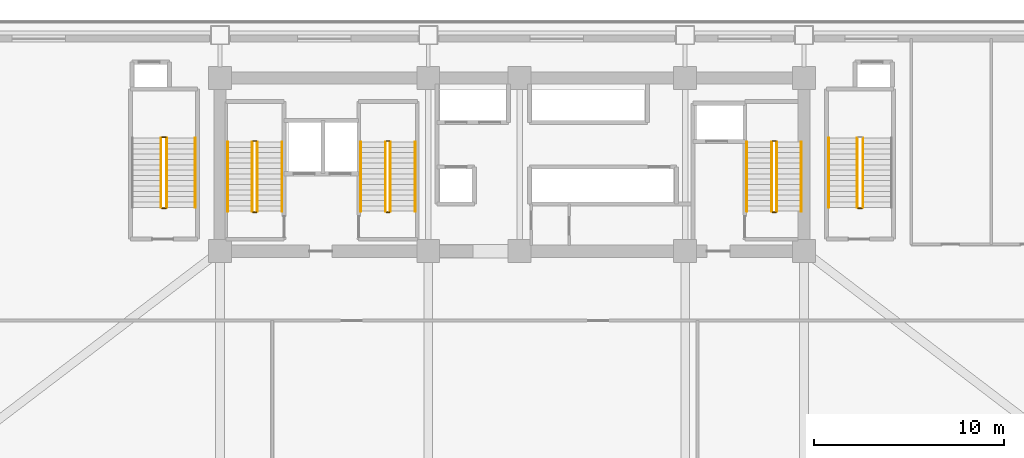
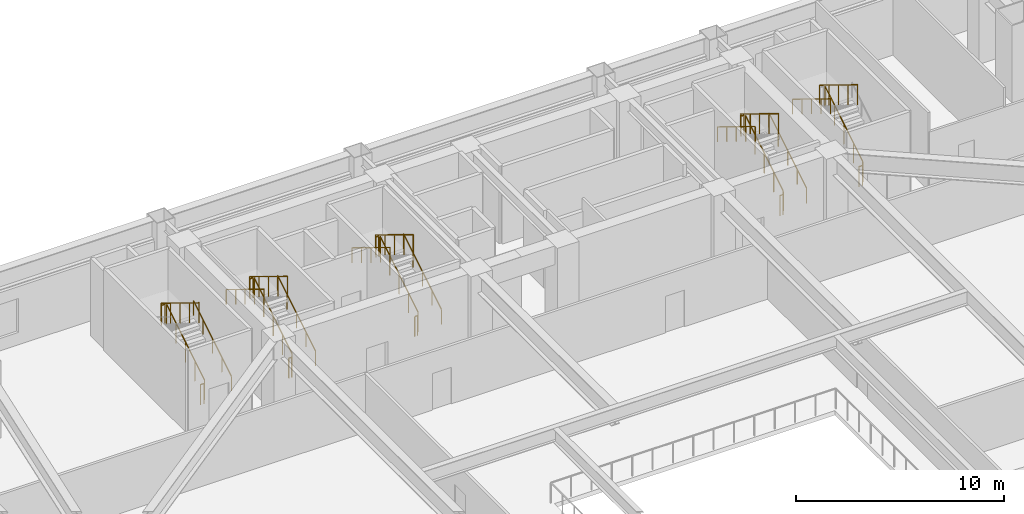
# One storey, part 12 of 14: 27 railings.
"""IFC4 building model written with IfcOpenShell, lengths in metres."""

from ifc_helpers import new_model, si_unit, direction, frame, origin, origin_2d, place, context, subcontext, project, spatial, rectangle, extrude, material, type_object, element, save


model = new_model("IFC4")

# Units and contexts
model_context = context("Model", 3, precision=1e-05, world=origin(), true_north=direction((0.0, 1.0)))
body_context = subcontext(model_context, "Body", "Model", "MODEL_VIEW")
ifc_project = project(units=[si_unit("LENGTHUNIT", "METRE"), si_unit("AREAUNIT", "SQUARE_METRE"), si_unit("VOLUMEUNIT", "CUBIC_METRE"), si_unit("PLANEANGLEUNIT", "RADIAN"), si_unit("MASSUNIT", "GRAM", prefix="KILO")], contexts=[model_context])

# Site, building, storey
site_placement = place(None, origin())
site = spatial("IfcSite", under=ifc_project, at=site_placement, CompositionType="ELEMENT")
building_placement = place(site_placement, origin())
building = spatial("IfcBuilding", under=site, at=building_placement, Name="Giltprow Tower", CompositionType="ELEMENT")
storey_placement = place(building_placement, frame((0.0, 0.0, 10.39990234375)))
storey = spatial("IfcBuildingStorey", under=building, at=storey_placement, Name="L03", CompositionType="ELEMENT", Elevation=10.39990234375)

# Railings
ifc_material = material(Name="Anodized bronze", Category="metal")
railing_type_1 = type_object("IfcRailingType", Name="RAIL-STAIR-GUARD-1200", PredefinedType="GUARDRAIL", material=ifc_material)
railing_1_placement = place(storey_placement, frame((21.81005859375, 39.550048828125, 0.171630859375)))
element("IfcRailing", 1, at=railing_1_placement, inside=storey, type_object=railing_type_1, Name="L03 ST-1 stair guard 1", PredefinedType="GUARDRAIL", context=body_context, shape_type="SweptSolid", body=[
    extrude(rectangle(XDim=0.048095703125, YDim=0.048095703125, at=origin_2d()), frame((0.0, 0.0, 1.17578125), z_axis=(0.0, 0.852850264322, 0.5221555579), x_axis=(-1.0, 0.0, 0.0)), (0.0, 0.0, 1.0), 4.267822265625),
    extrude(rectangle(XDim=0.0419921875, YDim=0.0419921875, at=origin_2d()), origin(), (0.0, 0.0, 1.0), 1.15185546875),
    extrude(rectangle(XDim=0.0419921875, YDim=0.0419921875, at=origin_2d()), frame((0.0, 0.909912109375, 0.55712890625)), (0.0, 0.0, 1.0), 1.15185546875),
    extrude(rectangle(XDim=0.0419921875, YDim=0.0419921875, at=origin_2d()), frame((0.0, 1.81982421875, 1.1142578125)), (0.0, 0.0, 1.0), 1.15185546875),
    extrude(rectangle(XDim=0.0419921875, YDim=0.0419921875, at=origin_2d()), frame((0.0, 2.72998046875, 1.67138671875)), (0.0, 0.0, 1.0), 1.15185546875),
    extrude(rectangle(XDim=0.0419921875, YDim=0.0419921875, at=origin_2d()), frame((0.0, 3.639892578125, 2.228515625)), (0.0, 0.0, 1.0), 1.15185546875),
])
railing_2_placement = place(storey_placement, frame((21.760009765625, 43.239990234375, 2.400146484375)))
element("IfcRailing", 2, at=railing_2_placement, inside=storey, type_object=railing_type_1, Name="L03 ST-1 stair guard 2", PredefinedType="GUARDRAIL", context=body_context, shape_type="SweptSolid", body=[
    extrude(rectangle(XDim=0.048095703125, YDim=0.048095703125, at=origin_2d()), frame((0.0, 0.0, 1.17578125), z_axis=(-1.0, 0.0, 0.0), x_axis=(0.0, -1.0, 0.0)), (0.0, 0.0, 1.0), 0.159912109375),
    extrude(rectangle(XDim=0.0419921875, YDim=0.0419921875, at=origin_2d()), origin(), (0.0, 0.0, 1.0), 1.15185546875),
    extrude(rectangle(XDim=0.0419921875, YDim=0.0419921875, at=origin_2d()), frame((-0.159912109375, 0.0, 0.0)), (0.0, 0.0, 1.0), 1.15185546875),
])
railing_3_placement = place(storey_placement, frame((21.550048828125, 43.18994140625, 2.571533203125)))
element("IfcRailing", 3, at=railing_3_placement, inside=storey, type_object=railing_type_1, Name="L03 ST-1 stair guard 3", PredefinedType="GUARDRAIL", context=body_context, shape_type="SweptSolid", body=[
    extrude(rectangle(XDim=0.048095703125, YDim=0.048095703125, at=origin_2d()), frame((0.0, 0.0, 1.17578125), z_axis=(0.0, -0.852850264322, 0.5221555579), x_axis=(1.0, 0.0, 0.0)), (0.0, 0.0, 1.0), 4.267822265625),
    extrude(rectangle(XDim=0.0419921875, YDim=0.0419921875, at=origin_2d()), origin(), (0.0, 0.0, 1.0), 1.15185546875),
    extrude(rectangle(XDim=0.0419921875, YDim=0.0419921875, at=origin_2d()), frame((0.0, -0.909912109375, 0.55712890625)), (0.0, 0.0, 1.0), 1.15185546875),
    extrude(rectangle(XDim=0.0419921875, YDim=0.0419921875, at=origin_2d()), frame((0.0, -1.81982421875, 1.1142578125)), (0.0, 0.0, 1.0), 1.15185546875),
    extrude(rectangle(XDim=0.0419921875, YDim=0.0419921875, at=origin_2d()), frame((0.0, -2.72998046875, 1.67138671875)), (0.0, 0.0, 1.0), 1.15185546875),
    extrude(rectangle(XDim=0.0419921875, YDim=0.0419921875, at=origin_2d()), frame((0.0, -3.639892578125, 2.228515625)), (0.0, 0.0, 1.0), 1.15185546875),
])
railing_4_placement = place(storey_placement, frame((21.760009765625, 39.5, 0.0)))
element("IfcRailing", 4, at=railing_4_placement, inside=storey, type_object=railing_type_1, Name="L03 ST-1 stair guard 4", PredefinedType="GUARDRAIL", context=body_context, shape_type="SweptSolid", body=[
    extrude(rectangle(XDim=0.048095703125, YDim=0.048095703125, at=origin_2d()), frame((0.0, 0.0, 1.17578125), z_axis=(-1.0, 0.0, 0.0), x_axis=(0.0, -1.0, 0.0)), (0.0, 0.0, 1.0), 0.159912109375),
    extrude(rectangle(XDim=0.0419921875, YDim=0.0419921875, at=origin_2d()), origin(), (0.0, 0.0, 1.0), 1.15185546875),
    extrude(rectangle(XDim=0.0419921875, YDim=0.0419921875, at=origin_2d()), frame((-0.159912109375, 0.0, 0.0)), (0.0, 0.0, 1.0), 1.15185546875),
])
railing_5_placement = place(storey_placement, frame((28.81005859375, 39.550048828125, 0.171630859375)))
element("IfcRailing", 5, at=railing_5_placement, inside=storey, type_object=railing_type_1, Name="L03 ST-2 stair guard 1", PredefinedType="GUARDRAIL", context=body_context, shape_type="SweptSolid", body=[
    extrude(rectangle(XDim=0.048095703125, YDim=0.048095703125, at=origin_2d()), frame((0.0, 0.0, 1.17578125), z_axis=(0.0, 0.852850264322, 0.5221555579), x_axis=(-1.0, 0.0, 0.0)), (0.0, 0.0, 1.0), 4.267822265625),
    extrude(rectangle(XDim=0.0419921875, YDim=0.0419921875, at=origin_2d()), origin(), (0.0, 0.0, 1.0), 1.15185546875),
    extrude(rectangle(XDim=0.0419921875, YDim=0.0419921875, at=origin_2d()), frame((0.0, 0.909912109375, 0.55712890625)), (0.0, 0.0, 1.0), 1.15185546875),
    extrude(rectangle(XDim=0.0419921875, YDim=0.0419921875, at=origin_2d()), frame((0.0, 1.81982421875, 1.1142578125)), (0.0, 0.0, 1.0), 1.15185546875),
    extrude(rectangle(XDim=0.0419921875, YDim=0.0419921875, at=origin_2d()), frame((0.0, 2.72998046875, 1.67138671875)), (0.0, 0.0, 1.0), 1.15185546875),
    extrude(rectangle(XDim=0.0419921875, YDim=0.0419921875, at=origin_2d()), frame((0.0, 3.639892578125, 2.228515625)), (0.0, 0.0, 1.0), 1.15185546875),
])
railing_6_placement = place(storey_placement, frame((28.760009765625, 43.239990234375, 2.400146484375)))
element("IfcRailing", 6, at=railing_6_placement, inside=storey, type_object=railing_type_1, Name="L03 ST-2 stair guard 2", PredefinedType="GUARDRAIL", context=body_context, shape_type="SweptSolid", body=[
    extrude(rectangle(XDim=0.048095703125, YDim=0.048095703125, at=origin_2d()), frame((0.0, 0.0, 1.17578125), z_axis=(-1.0, 0.0, 0.0), x_axis=(0.0, -1.0, 0.0)), (0.0, 0.0, 1.0), 0.159912109375),
    extrude(rectangle(XDim=0.0419921875, YDim=0.0419921875, at=origin_2d()), origin(), (0.0, 0.0, 1.0), 1.15185546875),
    extrude(rectangle(XDim=0.0419921875, YDim=0.0419921875, at=origin_2d()), frame((-0.159912109375, 0.0, 0.0)), (0.0, 0.0, 1.0), 1.15185546875),
])
railing_7_placement = place(storey_placement, frame((28.550048828125, 43.18994140625, 2.571533203125)))
element("IfcRailing", 7, at=railing_7_placement, inside=storey, type_object=railing_type_1, Name="L03 ST-2 stair guard 3", PredefinedType="GUARDRAIL", context=body_context, shape_type="SweptSolid", body=[
    extrude(rectangle(XDim=0.048095703125, YDim=0.048095703125, at=origin_2d()), frame((0.0, 0.0, 1.17578125), z_axis=(0.0, -0.852850264322, 0.5221555579), x_axis=(1.0, 0.0, 0.0)), (0.0, 0.0, 1.0), 4.267822265625),
    extrude(rectangle(XDim=0.0419921875, YDim=0.0419921875, at=origin_2d()), origin(), (0.0, 0.0, 1.0), 1.15185546875),
    extrude(rectangle(XDim=0.0419921875, YDim=0.0419921875, at=origin_2d()), frame((0.0, -0.909912109375, 0.55712890625)), (0.0, 0.0, 1.0), 1.15185546875),
    extrude(rectangle(XDim=0.0419921875, YDim=0.0419921875, at=origin_2d()), frame((0.0, -1.81982421875, 1.1142578125)), (0.0, 0.0, 1.0), 1.15185546875),
    extrude(rectangle(XDim=0.0419921875, YDim=0.0419921875, at=origin_2d()), frame((0.0, -2.72998046875, 1.67138671875)), (0.0, 0.0, 1.0), 1.15185546875),
    extrude(rectangle(XDim=0.0419921875, YDim=0.0419921875, at=origin_2d()), frame((0.0, -3.639892578125, 2.228515625)), (0.0, 0.0, 1.0), 1.15185546875),
])
railing_8_placement = place(storey_placement, frame((28.760009765625, 39.5, 0.0)))
element("IfcRailing", 8, at=railing_8_placement, inside=storey, type_object=railing_type_1, Name="L03 ST-2 stair guard 4", PredefinedType="GUARDRAIL", context=body_context, shape_type="SweptSolid", body=[
    extrude(rectangle(XDim=0.048095703125, YDim=0.048095703125, at=origin_2d()), frame((0.0, 0.0, 1.17578125), z_axis=(-1.0, 0.0, 0.0), x_axis=(0.0, -1.0, 0.0)), (0.0, 0.0, 1.0), 0.159912109375),
    extrude(rectangle(XDim=0.0419921875, YDim=0.0419921875, at=origin_2d()), origin(), (0.0, 0.0, 1.0), 1.15185546875),
    extrude(rectangle(XDim=0.0419921875, YDim=0.0419921875, at=origin_2d()), frame((-0.159912109375, 0.0, 0.0)), (0.0, 0.0, 1.0), 1.15185546875),
])
railing_9_placement = place(storey_placement, frame((49.110107421875, 39.550048828125, 0.171630859375)))
element("IfcRailing", 9, at=railing_9_placement, inside=storey, type_object=railing_type_1, Name="L03 ST-3 stair guard 1", PredefinedType="GUARDRAIL", context=body_context, shape_type="SweptSolid", body=[
    extrude(rectangle(XDim=0.048095703125, YDim=0.048095703125, at=origin_2d()), frame((0.0, 0.0, 1.17578125), z_axis=(0.0, 0.852850264322, 0.5221555579), x_axis=(-1.0, 0.0, 0.0)), (0.0, 0.0, 1.0), 4.267822265625),
    extrude(rectangle(XDim=0.0419921875, YDim=0.0419921875, at=origin_2d()), origin(), (0.0, 0.0, 1.0), 1.15185546875),
    extrude(rectangle(XDim=0.0419921875, YDim=0.0419921875, at=origin_2d()), frame((0.0, 0.909912109375, 0.55712890625)), (0.0, 0.0, 1.0), 1.15185546875),
    extrude(rectangle(XDim=0.0419921875, YDim=0.0419921875, at=origin_2d()), frame((0.0, 1.81982421875, 1.1142578125)), (0.0, 0.0, 1.0), 1.15185546875),
    extrude(rectangle(XDim=0.0419921875, YDim=0.0419921875, at=origin_2d()), frame((0.0, 2.72998046875, 1.67138671875)), (0.0, 0.0, 1.0), 1.15185546875),
    extrude(rectangle(XDim=0.0419921875, YDim=0.0419921875, at=origin_2d()), frame((0.0, 3.639892578125, 2.228515625)), (0.0, 0.0, 1.0), 1.15185546875),
])
railing_10_placement = place(storey_placement, frame((49.06005859375, 43.239990234375, 2.400146484375)))
element("IfcRailing", 10, at=railing_10_placement, inside=storey, type_object=railing_type_1, Name="L03 ST-3 stair guard 2", PredefinedType="GUARDRAIL", context=body_context, shape_type="SweptSolid", body=[
    extrude(rectangle(XDim=0.048095703125, YDim=0.048095703125, at=origin_2d()), frame((0.0, 0.0, 1.17578125), z_axis=(-1.0, 0.0, 0.0), x_axis=(0.0, -1.0, 0.0)), (0.0, 0.0, 1.0), 0.16015625),
    extrude(rectangle(XDim=0.0419921875, YDim=0.0419921875, at=origin_2d()), origin(), (0.0, 0.0, 1.0), 1.15185546875),
    extrude(rectangle(XDim=0.0419921875, YDim=0.0419921875, at=origin_2d()), frame((-0.16015625, 0.0, 0.0)), (0.0, 0.0, 1.0), 1.15185546875),
])
railing_11_placement = place(storey_placement, frame((48.85009765625, 43.18994140625, 2.571533203125)))
element("IfcRailing", 11, at=railing_11_placement, inside=storey, type_object=railing_type_1, Name="L03 ST-3 stair guard 3", PredefinedType="GUARDRAIL", context=body_context, shape_type="SweptSolid", body=[
    extrude(rectangle(XDim=0.048095703125, YDim=0.048095703125, at=origin_2d()), frame((0.0, 0.0, 1.17578125), z_axis=(0.0, -0.852850264322, 0.5221555579), x_axis=(1.0, 0.0, 0.0)), (0.0, 0.0, 1.0), 4.267822265625),
    extrude(rectangle(XDim=0.0419921875, YDim=0.0419921875, at=origin_2d()), origin(), (0.0, 0.0, 1.0), 1.15185546875),
    extrude(rectangle(XDim=0.0419921875, YDim=0.0419921875, at=origin_2d()), frame((0.0, -0.909912109375, 0.55712890625)), (0.0, 0.0, 1.0), 1.15185546875),
    extrude(rectangle(XDim=0.0419921875, YDim=0.0419921875, at=origin_2d()), frame((0.0, -1.81982421875, 1.1142578125)), (0.0, 0.0, 1.0), 1.15185546875),
    extrude(rectangle(XDim=0.0419921875, YDim=0.0419921875, at=origin_2d()), frame((0.0, -2.72998046875, 1.67138671875)), (0.0, 0.0, 1.0), 1.15185546875),
    extrude(rectangle(XDim=0.0419921875, YDim=0.0419921875, at=origin_2d()), frame((0.0, -3.639892578125, 2.228515625)), (0.0, 0.0, 1.0), 1.15185546875),
])
railing_12_placement = place(storey_placement, frame((49.06005859375, 39.5, 0.0)))
element("IfcRailing", 12, at=railing_12_placement, inside=storey, type_object=railing_type_1, Name="L03 ST-3 stair guard 4", PredefinedType="GUARDRAIL", context=body_context, shape_type="SweptSolid", body=[
    extrude(rectangle(XDim=0.048095703125, YDim=0.048095703125, at=origin_2d()), frame((0.0, 0.0, 1.17578125), z_axis=(-1.0, 0.0, 0.0), x_axis=(0.0, -1.0, 0.0)), (0.0, 0.0, 1.0), 0.16015625),
    extrude(rectangle(XDim=0.0419921875, YDim=0.0419921875, at=origin_2d()), origin(), (0.0, 0.0, 1.0), 1.15185546875),
    extrude(rectangle(XDim=0.0419921875, YDim=0.0419921875, at=origin_2d()), frame((-0.16015625, 0.0, 0.0)), (0.0, 0.0, 1.0), 1.15185546875),
])
railing_13_placement = place(storey_placement, frame((17.050048828125, 39.75, 0.171630859375)))
element("IfcRailing", 13, at=railing_13_placement, inside=storey, type_object=railing_type_1, Name="L03 ST-P1 stair guard 1", PredefinedType="GUARDRAIL", context=body_context, shape_type="SweptSolid", body=[
    extrude(rectangle(XDim=0.048095703125, YDim=0.048095703125, at=origin_2d()), frame((0.0, 0.0, 1.17578125), z_axis=(0.0, 0.852850264322, 0.5221555579), x_axis=(-1.0, 0.0, 0.0)), (0.0, 0.0, 1.0), 4.267822265625),
    extrude(rectangle(XDim=0.0419921875, YDim=0.0419921875, at=origin_2d()), origin(), (0.0, 0.0, 1.0), 1.15185546875),
    extrude(rectangle(XDim=0.0419921875, YDim=0.0419921875, at=origin_2d()), frame((0.0, 0.909912109375, 0.55712890625)), (0.0, 0.0, 1.0), 1.15185546875),
    extrude(rectangle(XDim=0.0419921875, YDim=0.0419921875, at=origin_2d()), frame((0.0, 1.81982421875, 1.1142578125)), (0.0, 0.0, 1.0), 1.15185546875),
    extrude(rectangle(XDim=0.0419921875, YDim=0.0419921875, at=origin_2d()), frame((0.0, 2.72998046875, 1.67138671875)), (0.0, 0.0, 1.0), 1.15185546875),
    extrude(rectangle(XDim=0.0419921875, YDim=0.0419921875, at=origin_2d()), frame((0.0, 3.639892578125, 2.228515625)), (0.0, 0.0, 1.0), 1.15185546875),
])
railing_14_placement = place(storey_placement, frame((17.0, 43.43994140625, 2.400146484375)))
element("IfcRailing", 14, at=railing_14_placement, inside=storey, type_object=railing_type_1, Name="L03 ST-P1 stair guard 2", PredefinedType="GUARDRAIL", context=body_context, shape_type="SweptSolid", body=[
    extrude(rectangle(XDim=0.048095703125, YDim=0.048095703125, at=origin_2d()), frame((0.0, 0.0, 1.17578125), z_axis=(-1.0, 0.0, 0.0), x_axis=(0.0, -1.0, 0.0)), (0.0, 0.0, 1.0), 0.199951171875),
    extrude(rectangle(XDim=0.0419921875, YDim=0.0419921875, at=origin_2d()), origin(), (0.0, 0.0, 1.0), 1.15185546875),
    extrude(rectangle(XDim=0.0419921875, YDim=0.0419921875, at=origin_2d()), frame((-0.199951171875, 0.0, 0.0)), (0.0, 0.0, 1.0), 1.15185546875),
])
railing_15_placement = place(storey_placement, frame((16.75, 43.389892578125, 2.571533203125)))
element("IfcRailing", 15, at=railing_15_placement, inside=storey, type_object=railing_type_1, Name="L03 ST-P1 stair guard 3", PredefinedType="GUARDRAIL", context=body_context, shape_type="SweptSolid", body=[
    extrude(rectangle(XDim=0.048095703125, YDim=0.048095703125, at=origin_2d()), frame((0.0, 0.0, 1.17578125), z_axis=(0.0, -0.852850264322, 0.5221555579), x_axis=(1.0, 0.0, 0.0)), (0.0, 0.0, 1.0), 4.267822265625),
    extrude(rectangle(XDim=0.0419921875, YDim=0.0419921875, at=origin_2d()), origin(), (0.0, 0.0, 1.0), 1.15185546875),
    extrude(rectangle(XDim=0.0419921875, YDim=0.0419921875, at=origin_2d()), frame((0.0, -0.909912109375, 0.55712890625)), (0.0, 0.0, 1.0), 1.15185546875),
    extrude(rectangle(XDim=0.0419921875, YDim=0.0419921875, at=origin_2d()), frame((0.0, -1.81982421875, 1.1142578125)), (0.0, 0.0, 1.0), 1.15185546875),
    extrude(rectangle(XDim=0.0419921875, YDim=0.0419921875, at=origin_2d()), frame((0.0, -2.72998046875, 1.67138671875)), (0.0, 0.0, 1.0), 1.15185546875),
    extrude(rectangle(XDim=0.0419921875, YDim=0.0419921875, at=origin_2d()), frame((0.0, -3.639892578125, 2.228515625)), (0.0, 0.0, 1.0), 1.15185546875),
])
railing_16_placement = place(storey_placement, frame((17.0, 39.699951171875, 0.0)))
element("IfcRailing", 16, at=railing_16_placement, inside=storey, type_object=railing_type_1, Name="L03 ST-P1 stair guard 4", PredefinedType="GUARDRAIL", context=body_context, shape_type="SweptSolid", body=[
    extrude(rectangle(XDim=0.048095703125, YDim=0.048095703125, at=origin_2d()), frame((0.0, 0.0, 1.17578125), z_axis=(-1.0, 0.0, 0.0), x_axis=(0.0, -1.0, 0.0)), (0.0, 0.0, 1.0), 0.199951171875),
    extrude(rectangle(XDim=0.0419921875, YDim=0.0419921875, at=origin_2d()), origin(), (0.0, 0.0, 1.0), 1.15185546875),
    extrude(rectangle(XDim=0.0419921875, YDim=0.0419921875, at=origin_2d()), frame((-0.199951171875, 0.0, 0.0)), (0.0, 0.0, 1.0), 1.15185546875),
])
railing_17_placement = place(storey_placement, frame((53.64990234375, 39.75, 0.171630859375)))
element("IfcRailing", 17, at=railing_17_placement, inside=storey, type_object=railing_type_1, Name="L03 ST-P2 stair guard 1", PredefinedType="GUARDRAIL", context=body_context, shape_type="SweptSolid", body=[
    extrude(rectangle(XDim=0.048095703125, YDim=0.048095703125, at=origin_2d()), frame((0.0, 0.0, 1.17578125), z_axis=(0.0, 0.852850264322, 0.5221555579), x_axis=(-1.0, 0.0, 0.0)), (0.0, 0.0, 1.0), 4.267822265625),
    extrude(rectangle(XDim=0.0419921875, YDim=0.0419921875, at=origin_2d()), origin(), (0.0, 0.0, 1.0), 1.15185546875),
    extrude(rectangle(XDim=0.0419921875, YDim=0.0419921875, at=origin_2d()), frame((0.0, 0.909912109375, 0.55712890625)), (0.0, 0.0, 1.0), 1.15185546875),
    extrude(rectangle(XDim=0.0419921875, YDim=0.0419921875, at=origin_2d()), frame((0.0, 1.81982421875, 1.1142578125)), (0.0, 0.0, 1.0), 1.15185546875),
    extrude(rectangle(XDim=0.0419921875, YDim=0.0419921875, at=origin_2d()), frame((0.0, 2.72998046875, 1.67138671875)), (0.0, 0.0, 1.0), 1.15185546875),
    extrude(rectangle(XDim=0.0419921875, YDim=0.0419921875, at=origin_2d()), frame((0.0, 3.639892578125, 2.228515625)), (0.0, 0.0, 1.0), 1.15185546875),
])
railing_18_placement = place(storey_placement, frame((53.35009765625, 43.389892578125, 2.571533203125)))
element("IfcRailing", 18, at=railing_18_placement, inside=storey, type_object=railing_type_1, Name="L03 ST-P2 stair guard 3", PredefinedType="GUARDRAIL", context=body_context, shape_type="SweptSolid", body=[
    extrude(rectangle(XDim=0.048095703125, YDim=0.048095703125, at=origin_2d()), frame((0.0, 0.0, 1.17578125), z_axis=(0.0, -0.852850264322, 0.5221555579), x_axis=(1.0, 0.0, 0.0)), (0.0, 0.0, 1.0), 4.267822265625),
    extrude(rectangle(XDim=0.0419921875, YDim=0.0419921875, at=origin_2d()), origin(), (0.0, 0.0, 1.0), 1.15185546875),
    extrude(rectangle(XDim=0.0419921875, YDim=0.0419921875, at=origin_2d()), frame((0.0, -0.909912109375, 0.55712890625)), (0.0, 0.0, 1.0), 1.15185546875),
    extrude(rectangle(XDim=0.0419921875, YDim=0.0419921875, at=origin_2d()), frame((0.0, -1.81982421875, 1.1142578125)), (0.0, 0.0, 1.0), 1.15185546875),
    extrude(rectangle(XDim=0.0419921875, YDim=0.0419921875, at=origin_2d()), frame((0.0, -2.72998046875, 1.67138671875)), (0.0, 0.0, 1.0), 1.15185546875),
    extrude(rectangle(XDim=0.0419921875, YDim=0.0419921875, at=origin_2d()), frame((0.0, -3.639892578125, 2.228515625)), (0.0, 0.0, 1.0), 1.15185546875),
])
railing_19_placement = place(storey_placement, frame((53.60009765625, 39.699951171875, 0.0)))
element("IfcRailing", 19, at=railing_19_placement, inside=storey, type_object=railing_type_1, Name="L03 ST-P2 stair guard 4", PredefinedType="GUARDRAIL", context=body_context, shape_type="SweptSolid", body=[
    extrude(rectangle(XDim=0.048095703125, YDim=0.048095703125, at=origin_2d()), frame((0.0, 0.0, 1.17578125), z_axis=(-1.0, 0.0, 0.0), x_axis=(0.0, -1.0, 0.0)), (0.0, 0.0, 1.0), 0.2001953125),
    extrude(rectangle(XDim=0.0419921875, YDim=0.0419921875, at=origin_2d()), origin(), (0.0, 0.0, 1.0), 1.15185546875),
    extrude(rectangle(XDim=0.0419921875, YDim=0.0419921875, at=origin_2d()), frame((-0.2001953125, 0.0, 0.0)), (0.0, 0.0, 1.0), 1.15185546875),
])
railing_type_2 = type_object("IfcRailingType", Name="RAIL-STAIR-HAND-900", PredefinedType="HANDRAIL", material=ifc_material)
railing_20_placement = place(storey_placement, frame((23.110107421875, 39.550048828125, 0.171630859375)))
element("IfcRailing", 20, at=railing_20_placement, inside=storey, type_object=railing_type_2, Name="L03 ST-1 stair handrail 1", PredefinedType="HANDRAIL", context=body_context, shape_type="SweptSolid", body=[
    extrude(rectangle(XDim=0.048095703125, YDim=0.048095703125, at=origin_2d()), frame((0.0, 0.0, 0.8759765625), z_axis=(0.0, 0.852850264322, 0.5221555579), x_axis=(-1.0, 0.0, 0.0)), (0.0, 0.0, 1.0), 4.267822265625),
    extrude(rectangle(XDim=0.0419921875, YDim=0.0419921875, at=origin_2d()), origin(), (0.0, 0.0, 1.0), 0.851806640625),
    extrude(rectangle(XDim=0.0419921875, YDim=0.0419921875, at=origin_2d()), frame((0.0, 0.909912109375, 0.55712890625)), (0.0, 0.0, 1.0), 0.851806640625),
    extrude(rectangle(XDim=0.0419921875, YDim=0.0419921875, at=origin_2d()), frame((0.0, 1.81982421875, 1.1142578125)), (0.0, 0.0, 1.0), 0.851806640625),
    extrude(rectangle(XDim=0.0419921875, YDim=0.0419921875, at=origin_2d()), frame((0.0, 2.72998046875, 1.67138671875)), (0.0, 0.0, 1.0), 0.851806640625),
    extrude(rectangle(XDim=0.0419921875, YDim=0.0419921875, at=origin_2d()), frame((0.0, 3.639892578125, 2.228515625)), (0.0, 0.0, 1.0), 0.851806640625),
])
railing_21_placement = place(storey_placement, frame((20.25, 43.18994140625, 2.571533203125)))
element("IfcRailing", 21, at=railing_21_placement, inside=storey, type_object=railing_type_2, Name="L03 ST-1 stair handrail 2", PredefinedType="HANDRAIL", context=body_context, shape_type="SweptSolid", body=[
    extrude(rectangle(XDim=0.048095703125, YDim=0.048095703125, at=origin_2d()), frame((0.0, 0.0, 0.8759765625), z_axis=(0.0, -0.852850264322, 0.5221555579), x_axis=(1.0, 0.0, 0.0)), (0.0, 0.0, 1.0), 4.267822265625),
    extrude(rectangle(XDim=0.0419921875, YDim=0.0419921875, at=origin_2d()), origin(), (0.0, 0.0, 1.0), 0.851806640625),
    extrude(rectangle(XDim=0.0419921875, YDim=0.0419921875, at=origin_2d()), frame((0.0, -0.909912109375, 0.55712890625)), (0.0, 0.0, 1.0), 0.851806640625),
    extrude(rectangle(XDim=0.0419921875, YDim=0.0419921875, at=origin_2d()), frame((0.0, -1.81982421875, 1.1142578125)), (0.0, 0.0, 1.0), 0.851806640625),
    extrude(rectangle(XDim=0.0419921875, YDim=0.0419921875, at=origin_2d()), frame((0.0, -2.72998046875, 1.67138671875)), (0.0, 0.0, 1.0), 0.851806640625),
    extrude(rectangle(XDim=0.0419921875, YDim=0.0419921875, at=origin_2d()), frame((0.0, -3.639892578125, 2.228515625)), (0.0, 0.0, 1.0), 0.851806640625),
])
railing_22_placement = place(storey_placement, frame((30.110107421875, 39.550048828125, 0.171630859375)))
element("IfcRailing", 22, at=railing_22_placement, inside=storey, type_object=railing_type_2, Name="L03 ST-2 stair handrail 1", PredefinedType="HANDRAIL", context=body_context, shape_type="SweptSolid", body=[
    extrude(rectangle(XDim=0.048095703125, YDim=0.048095703125, at=origin_2d()), frame((0.0, 0.0, 0.8759765625), z_axis=(0.0, 0.852850264322, 0.5221555579), x_axis=(-1.0, 0.0, 0.0)), (0.0, 0.0, 1.0), 4.267822265625),
    extrude(rectangle(XDim=0.0419921875, YDim=0.0419921875, at=origin_2d()), origin(), (0.0, 0.0, 1.0), 0.851806640625),
    extrude(rectangle(XDim=0.0419921875, YDim=0.0419921875, at=origin_2d()), frame((0.0, 0.909912109375, 0.55712890625)), (0.0, 0.0, 1.0), 0.851806640625),
    extrude(rectangle(XDim=0.0419921875, YDim=0.0419921875, at=origin_2d()), frame((0.0, 1.81982421875, 1.1142578125)), (0.0, 0.0, 1.0), 0.851806640625),
    extrude(rectangle(XDim=0.0419921875, YDim=0.0419921875, at=origin_2d()), frame((0.0, 2.72998046875, 1.67138671875)), (0.0, 0.0, 1.0), 0.851806640625),
    extrude(rectangle(XDim=0.0419921875, YDim=0.0419921875, at=origin_2d()), frame((0.0, 3.639892578125, 2.228515625)), (0.0, 0.0, 1.0), 0.851806640625),
])
railing_23_placement = place(storey_placement, frame((27.25, 43.18994140625, 2.571533203125)))
element("IfcRailing", 23, at=railing_23_placement, inside=storey, type_object=railing_type_2, Name="L03 ST-2 stair handrail 2", PredefinedType="HANDRAIL", context=body_context, shape_type="SweptSolid", body=[
    extrude(rectangle(XDim=0.048095703125, YDim=0.048095703125, at=origin_2d()), frame((0.0, 0.0, 0.8759765625), z_axis=(0.0, -0.852850264322, 0.5221555579), x_axis=(1.0, 0.0, 0.0)), (0.0, 0.0, 1.0), 4.267822265625),
    extrude(rectangle(XDim=0.0419921875, YDim=0.0419921875, at=origin_2d()), origin(), (0.0, 0.0, 1.0), 0.851806640625),
    extrude(rectangle(XDim=0.0419921875, YDim=0.0419921875, at=origin_2d()), frame((0.0, -0.909912109375, 0.55712890625)), (0.0, 0.0, 1.0), 0.851806640625),
    extrude(rectangle(XDim=0.0419921875, YDim=0.0419921875, at=origin_2d()), frame((0.0, -1.81982421875, 1.1142578125)), (0.0, 0.0, 1.0), 0.851806640625),
    extrude(rectangle(XDim=0.0419921875, YDim=0.0419921875, at=origin_2d()), frame((0.0, -2.72998046875, 1.67138671875)), (0.0, 0.0, 1.0), 0.851806640625),
    extrude(rectangle(XDim=0.0419921875, YDim=0.0419921875, at=origin_2d()), frame((0.0, -3.639892578125, 2.228515625)), (0.0, 0.0, 1.0), 0.851806640625),
])
railing_24_placement = place(storey_placement, frame((50.409912109375, 39.550048828125, 0.171630859375)))
element("IfcRailing", 24, at=railing_24_placement, inside=storey, type_object=railing_type_2, Name="L03 ST-3 stair handrail 1", PredefinedType="HANDRAIL", context=body_context, shape_type="SweptSolid", body=[
    extrude(rectangle(XDim=0.048095703125, YDim=0.048095703125, at=origin_2d()), frame((0.0, 0.0, 0.8759765625), z_axis=(0.0, 0.852850264322, 0.5221555579), x_axis=(-1.0, 0.0, 0.0)), (0.0, 0.0, 1.0), 4.267822265625),
    extrude(rectangle(XDim=0.0419921875, YDim=0.0419921875, at=origin_2d()), origin(), (0.0, 0.0, 1.0), 0.851806640625),
    extrude(rectangle(XDim=0.0419921875, YDim=0.0419921875, at=origin_2d()), frame((0.0, 0.909912109375, 0.55712890625)), (0.0, 0.0, 1.0), 0.851806640625),
    extrude(rectangle(XDim=0.0419921875, YDim=0.0419921875, at=origin_2d()), frame((0.0, 1.81982421875, 1.1142578125)), (0.0, 0.0, 1.0), 0.851806640625),
    extrude(rectangle(XDim=0.0419921875, YDim=0.0419921875, at=origin_2d()), frame((0.0, 2.72998046875, 1.67138671875)), (0.0, 0.0, 1.0), 0.851806640625),
    extrude(rectangle(XDim=0.0419921875, YDim=0.0419921875, at=origin_2d()), frame((0.0, 3.639892578125, 2.228515625)), (0.0, 0.0, 1.0), 0.851806640625),
])
railing_25_placement = place(storey_placement, frame((47.550048828125, 43.18994140625, 2.571533203125)))
element("IfcRailing", 25, at=railing_25_placement, inside=storey, type_object=railing_type_2, Name="L03 ST-3 stair handrail 2", PredefinedType="HANDRAIL", context=body_context, shape_type="SweptSolid", body=[
    extrude(rectangle(XDim=0.048095703125, YDim=0.048095703125, at=origin_2d()), frame((0.0, 0.0, 0.8759765625), z_axis=(0.0, -0.852850264322, 0.5221555579), x_axis=(1.0, 0.0, 0.0)), (0.0, 0.0, 1.0), 4.267822265625),
    extrude(rectangle(XDim=0.0419921875, YDim=0.0419921875, at=origin_2d()), origin(), (0.0, 0.0, 1.0), 0.851806640625),
    extrude(rectangle(XDim=0.0419921875, YDim=0.0419921875, at=origin_2d()), frame((0.0, -0.909912109375, 0.55712890625)), (0.0, 0.0, 1.0), 0.851806640625),
    extrude(rectangle(XDim=0.0419921875, YDim=0.0419921875, at=origin_2d()), frame((0.0, -1.81982421875, 1.1142578125)), (0.0, 0.0, 1.0), 0.851806640625),
    extrude(rectangle(XDim=0.0419921875, YDim=0.0419921875, at=origin_2d()), frame((0.0, -2.72998046875, 1.67138671875)), (0.0, 0.0, 1.0), 0.851806640625),
    extrude(rectangle(XDim=0.0419921875, YDim=0.0419921875, at=origin_2d()), frame((0.0, -3.639892578125, 2.228515625)), (0.0, 0.0, 1.0), 0.851806640625),
])
railing_26_placement = place(storey_placement, frame((18.550048828125, 39.75, 0.171630859375)))
element("IfcRailing", 26, at=railing_26_placement, inside=storey, type_object=railing_type_2, Name="L03 ST-P1 stair handrail 1", PredefinedType="HANDRAIL", context=body_context, shape_type="SweptSolid", body=[
    extrude(rectangle(XDim=0.048095703125, YDim=0.048095703125, at=origin_2d()), frame((0.0, 0.0, 0.8759765625), z_axis=(0.0, 0.852850264322, 0.5221555579), x_axis=(-1.0, 0.0, 0.0)), (0.0, 0.0, 1.0), 4.267822265625),
    extrude(rectangle(XDim=0.0419921875, YDim=0.0419921875, at=origin_2d()), origin(), (0.0, 0.0, 1.0), 0.851806640625),
    extrude(rectangle(XDim=0.0419921875, YDim=0.0419921875, at=origin_2d()), frame((0.0, 0.909912109375, 0.55712890625)), (0.0, 0.0, 1.0), 0.851806640625),
    extrude(rectangle(XDim=0.0419921875, YDim=0.0419921875, at=origin_2d()), frame((0.0, 1.81982421875, 1.1142578125)), (0.0, 0.0, 1.0), 0.851806640625),
    extrude(rectangle(XDim=0.0419921875, YDim=0.0419921875, at=origin_2d()), frame((0.0, 2.72998046875, 1.67138671875)), (0.0, 0.0, 1.0), 0.851806640625),
    extrude(rectangle(XDim=0.0419921875, YDim=0.0419921875, at=origin_2d()), frame((0.0, 3.639892578125, 2.228515625)), (0.0, 0.0, 1.0), 0.851806640625),
])
railing_27_placement = place(storey_placement, frame((51.85009765625, 43.389892578125, 2.571533203125)))
element("IfcRailing", 27, at=railing_27_placement, inside=storey, type_object=railing_type_2, Name="L03 ST-P2 stair handrail 2", PredefinedType="HANDRAIL", context=body_context, shape_type="SweptSolid", body=[
    extrude(rectangle(XDim=0.048095703125, YDim=0.048095703125, at=origin_2d()), frame((0.0, 0.0, 0.8759765625), z_axis=(0.0, -0.852850264322, 0.5221555579), x_axis=(1.0, 0.0, 0.0)), (0.0, 0.0, 1.0), 4.267822265625),
    extrude(rectangle(XDim=0.0419921875, YDim=0.0419921875, at=origin_2d()), origin(), (0.0, 0.0, 1.0), 0.851806640625),
    extrude(rectangle(XDim=0.0419921875, YDim=0.0419921875, at=origin_2d()), frame((0.0, -0.909912109375, 0.55712890625)), (0.0, 0.0, 1.0), 0.851806640625),
    extrude(rectangle(XDim=0.0419921875, YDim=0.0419921875, at=origin_2d()), frame((0.0, -1.81982421875, 1.1142578125)), (0.0, 0.0, 1.0), 0.851806640625),
    extrude(rectangle(XDim=0.0419921875, YDim=0.0419921875, at=origin_2d()), frame((0.0, -2.72998046875, 1.67138671875)), (0.0, 0.0, 1.0), 0.851806640625),
    extrude(rectangle(XDim=0.0419921875, YDim=0.0419921875, at=origin_2d()), frame((0.0, -3.639892578125, 2.228515625)), (0.0, 0.0, 1.0), 0.851806640625),
])

save(model, "model.ifc")
